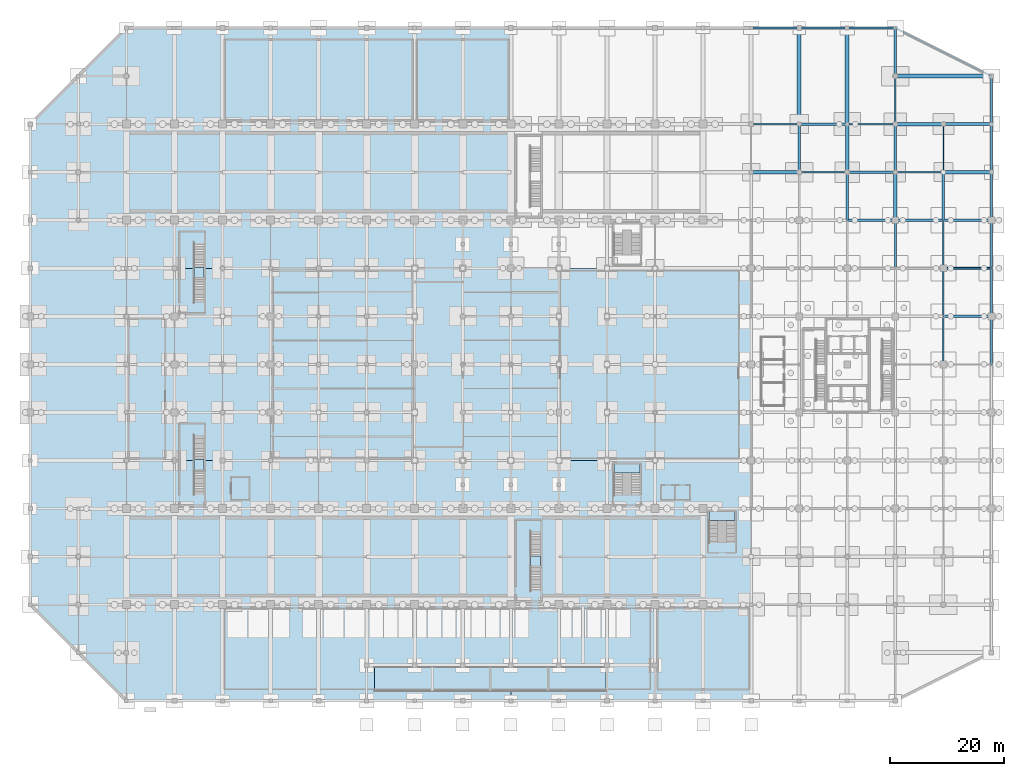
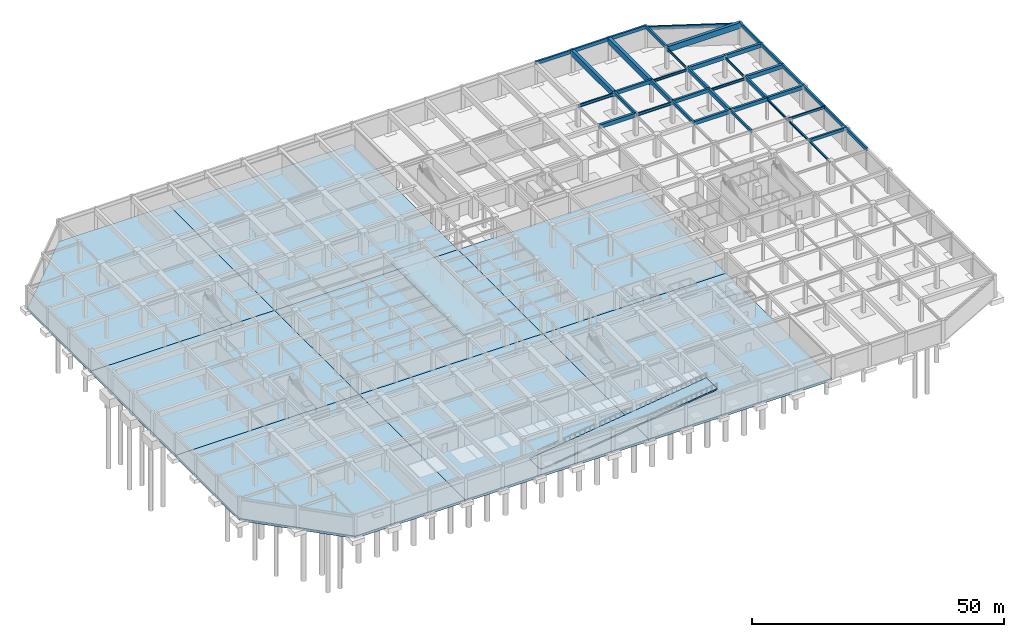
# One storey, part 16 of 26: 41 beams, 15 slabs, 5 elements without a shape of their own.
"""IFC4 building model written with IfcOpenShell, lengths in metres."""

from ifc_helpers import new_model, si_unit, direction, frame, origin, origin_2d, place, context, subcontext, project, spatial, polyline, rectangle, i_section, outline, extrude, material, layer, layer_set, material_profile, profile_set, type_object, element, aggregate, save


model = new_model("IFC4")

# Units and contexts
model_context = context("Model", 3, precision=1e-05, world=origin(), true_north=direction((0.0, 1.0)))
body_context = subcontext(model_context, "Body", "Model", "MODEL_VIEW")
ifc_project = project(units=[si_unit("LENGTHUNIT", "METRE"), si_unit("AREAUNIT", "SQUARE_METRE"), si_unit("VOLUMEUNIT", "CUBIC_METRE"), si_unit("PLANEANGLEUNIT", "RADIAN"), si_unit("MASSUNIT", "GRAM", prefix="KILO")], contexts=[model_context])

# Site, building, storey
site_placement = place(None, origin())
site = spatial("IfcSite", under=ifc_project, at=site_placement, CompositionType="ELEMENT")
building_placement = place(site_placement, origin())
building = spatial("IfcBuilding", under=site, at=building_placement, Name="Xuanlan Plaza Opera House", CompositionType="ELEMENT")
storey_placement = place(building_placement, frame((0.0, 0.0, -5.39990234375)))
storey = spatial("IfcBuildingStorey", under=building, at=storey_placement, Name="B01", CompositionType="ELEMENT", Elevation=-5.39990234375)

# Beams
ifc_material_1 = material(Name="Concrete C50", Category="concrete")
ifc_material_profile_1 = material_profile(ifc_material_1, rectangle(XDim=0.60009765625, YDim=0.949951171875, at=origin_2d()), Name="RC-BM 600x950")
ifc_profile_set_1 = profile_set([ifc_material_profile_1], Name="Concrete C50")
beam_type_1 = type_object("IfcBeamType", Name="STR-BM-B-01", PredefinedType="BEAM", material=ifc_profile_set_1)
beam_1_placement = place(storey_placement, frame((159.60009765625, 92.39990234375, 4.9248046875), z_axis=(1.0, 0.0, 0.0), x_axis=(0.0, 1.0, 0.0)))
element("IfcBeam", 1, at=beam_1_placement, inside=storey, type_object=beam_type_1, Name="Grid Beam X B01 20-21/L", PredefinedType="BEAM", context=body_context, shape_type="SweptSolid", body=[
    extrude(rectangle(XDim=0.60009765625, YDim=0.949951171875, at=origin_2d()), origin(), (0.0, 0.0, 1.0), 8.39990234375),
])
beam_2_placement = place(storey_placement, frame((151.199951171875, 100.800048828125, 4.9248046875), z_axis=(1.0, 0.0, 0.0), x_axis=(0.0, 1.0, 0.0)))
element("IfcBeam", 2, at=beam_2_placement, inside=storey, type_object=beam_type_1, Name="Grid Beam X B01 19-20/M", PredefinedType="BEAM", context=body_context, shape_type="SweptSolid", body=[
    extrude(rectangle(XDim=0.60009765625, YDim=0.949951171875, at=origin_2d()), origin(), (0.0, 0.0, 1.0), 8.400146484375),
])
ifc_material_profile_2 = material_profile(ifc_material_1, rectangle(XDim=0.550048828125, YDim=0.949951171875, at=origin_2d()), Name="RC-BM 550x950")
ifc_profile_set_2 = profile_set([ifc_material_profile_2], Name="Concrete C50")
beam_type_2 = type_object("IfcBeamType", Name="STR-BM-B-02", PredefinedType="BEAM", material=ifc_profile_set_2)
for number, where, z_axis, x_axis, name in (
    (3, (126.0, 92.39990234375, 4.9248046875), (1.0, 0.0, 0.0), (0.0, 1.0, 0.0), "Grid Beam X B01 16-17/L"),
    (4, (159.60009765625, 100.800048828125, 4.9248046875), (1.0, 0.0, 0.0), (0.0, 1.0, 0.0), "Grid Beam X B01 20-21/M"),
):
    element("IfcBeam", number, at=place(storey_placement, frame(where, z_axis=z_axis, x_axis=x_axis)), inside=storey, type_object=beam_type_2, Name=name, PredefinedType="BEAM", context=body_context, shape_type="SweptSolid", body=[
        extrude(rectangle(XDim=0.550048828125, YDim=0.949951171875, at=origin_2d()), origin(), (0.0, 0.0, 1.0), 8.39990234375),
    ])
beam_3_placement = place(storey_placement, frame((142.800048828125, 92.39990234375, 4.9248046875), z_axis=(0.0, 1.0, 0.0), x_axis=(-1.0, 0.0, 0.0)))
element("IfcBeam", 5, at=beam_3_placement, inside=storey, type_object=beam_type_2, Name="Grid Beam Y B01 18/L-M", PredefinedType="BEAM", context=body_context, shape_type="SweptSolid", body=[
    extrude(rectangle(XDim=0.550048828125, YDim=0.949951171875, at=origin_2d()), origin(), (0.0, 0.0, 1.0), 8.400146484375),
])
beam_4_placement = place(storey_placement, frame((151.199951171875, 84.0, 4.9248046875), z_axis=(0.0, 1.0, 0.0), x_axis=(-1.0, 0.0, 0.0)))
element("IfcBeam", 6, at=beam_4_placement, inside=storey, type_object=beam_type_2, Name="Grid Beam Y B01 19/K-L", PredefinedType="BEAM", context=body_context, shape_type="SweptSolid", body=[
    extrude(rectangle(XDim=0.550048828125, YDim=0.949951171875, at=origin_2d()), origin(), (0.0, 0.0, 1.0), 8.39990234375),
])
ifc_material_2 = material(Name="Concrete C40", Category="concrete")
ifc_material_profile_3 = material_profile(ifc_material_2, rectangle(XDim=0.5, YDim=0.89990234375, at=origin_2d()), Name="RC-BM 500x900")
ifc_profile_set_3 = profile_set([ifc_material_profile_3], Name="Concrete C40")
beam_type_3 = type_object("IfcBeamType", Name="STR-BM-B-03", PredefinedType="BEAM", material=ifc_profile_set_3)
beam_5_placement = place(storey_placement, frame((142.800048828125, 84.0, 4.949951171875), z_axis=(1.0, 0.0, 0.0), x_axis=(0.0, 1.0, 0.0)))
element("IfcBeam", 7, at=beam_5_placement, inside=storey, type_object=beam_type_3, Name="Grid Beam X B01 18-19/K", PredefinedType="BEAM", context=body_context, shape_type="SweptSolid", body=[
    extrude(rectangle(XDim=0.5, YDim=0.89990234375, at=origin_2d()), origin(), (0.0, 0.0, 1.0), 8.39990234375),
])
beam_6_placement = place(storey_placement, frame((151.199951171875, 84.0, 4.949951171875), z_axis=(1.0, 0.0, 0.0), x_axis=(0.0, 1.0, 0.0)))
element("IfcBeam", 8, at=beam_6_placement, inside=storey, type_object=beam_type_3, Name="Grid Beam X B01 19-20/K", PredefinedType="BEAM", context=body_context, shape_type="SweptSolid", body=[
    extrude(rectangle(XDim=0.5, YDim=0.89990234375, at=origin_2d()), origin(), (0.0, 0.0, 1.0), 8.400146484375),
])
beam_7_placement = place(storey_placement, frame((159.60009765625, 84.0, 4.949951171875), z_axis=(1.0, 0.0, 0.0), x_axis=(0.0, 1.0, 0.0)))
element("IfcBeam", 9, at=beam_7_placement, inside=storey, type_object=beam_type_3, Name="Grid Beam X B01 20-21/K", PredefinedType="BEAM", context=body_context, shape_type="SweptSolid", body=[
    extrude(rectangle(XDim=0.5, YDim=0.89990234375, at=origin_2d()), origin(), (0.0, 0.0, 1.0), 8.39990234375),
])
ifc_material_profile_4 = material_profile(ifc_material_2, rectangle(XDim=0.449951171875, YDim=0.85009765625, at=origin_2d()), Name="RC-BM 450x850")
ifc_profile_set_4 = profile_set([ifc_material_profile_4], Name="Concrete C40")
beam_type_4 = type_object("IfcBeamType", Name="STR-BM-B-04", PredefinedType="BEAM", material=ifc_profile_set_4)
beam_8_placement = place(storey_placement, frame((142.800048828125, 92.39990234375, 4.974853515625), z_axis=(1.0, 0.0, 0.0), x_axis=(0.0, 1.0, 0.0)))
element("IfcBeam", 10, at=beam_8_placement, inside=storey, type_object=beam_type_4, Name="Grid Beam X B01 18-19/L", PredefinedType="BEAM", context=body_context, shape_type="SweptSolid", body=[
    extrude(rectangle(XDim=0.449951171875, YDim=0.85009765625, at=origin_2d()), origin(), (0.0, 0.0, 1.0), 8.39990234375),
])
for number, where, z_axis, x_axis, name in (
    (11, (134.39990234375, 100.800048828125, 4.974853515625), (1.0, 0.0, 0.0), (0.0, 1.0, 0.0), "Grid Beam X B01 17-18/M"),
    (12, (151.199951171875, 92.39990234375, 4.974853515625), (0.0, 1.0, 0.0), (-1.0, 0.0, 0.0), "Grid Beam Y B01 19/L-M"),
):
    element("IfcBeam", number, at=place(storey_placement, frame(where, z_axis=z_axis, x_axis=x_axis)), inside=storey, type_object=beam_type_4, Name=name, PredefinedType="BEAM", context=body_context, shape_type="SweptSolid", body=[
        extrude(rectangle(XDim=0.449951171875, YDim=0.85009765625, at=origin_2d()), origin(), (0.0, 0.0, 1.0), 8.400146484375),
    ])
beam_9_placement = place(storey_placement, frame((159.60009765625, 84.0, 4.974853515625), z_axis=(0.0, 1.0, 0.0), x_axis=(-1.0, 0.0, 0.0)))
element("IfcBeam", 13, at=beam_9_placement, inside=storey, type_object=beam_type_4, Name="Grid Beam Y B01 20/K-L", PredefinedType="BEAM", context=body_context, shape_type="SweptSolid", body=[
    extrude(rectangle(XDim=0.449951171875, YDim=0.85009765625, at=origin_2d()), origin(), (0.0, 0.0, 1.0), 8.39990234375),
])
ifc_material_profile_5 = material_profile(ifc_material_2, rectangle(XDim=0.39990234375, YDim=0.75, at=origin_2d()), Name="RC-BM 400x750")
ifc_profile_set_5 = profile_set([ifc_material_profile_5], Name="Concrete C40")
beam_type_5 = type_object("IfcBeamType", Name="STR-BM-B-06", PredefinedType="BEAM", material=ifc_profile_set_5)
beam_10_placement = place(storey_placement, frame((134.39990234375, 92.39990234375, 5.02490234375), z_axis=(0.0, 1.0, 0.0), x_axis=(-1.0, 0.0, 0.0)))
element("IfcBeam", 14, at=beam_10_placement, inside=storey, type_object=beam_type_5, Name="Grid Beam Y B01 17/L-M", PredefinedType="BEAM", context=body_context, shape_type="SweptSolid", body=[
    extrude(rectangle(XDim=0.39990234375, YDim=0.75, at=origin_2d()), origin(), (0.0, 0.0, 1.0), 8.400146484375),
])
beam_11_placement = place(storey_placement, frame((142.800048828125, 84.0, 5.02490234375), z_axis=(0.0, 1.0, 0.0), x_axis=(-1.0, 0.0, 0.0)))
element("IfcBeam", 15, at=beam_11_placement, inside=storey, type_object=beam_type_5, Name="Grid Beam Y B01 18/K-L", PredefinedType="BEAM", context=body_context, shape_type="SweptSolid", body=[
    extrude(rectangle(XDim=0.39990234375, YDim=0.75, at=origin_2d()), origin(), (0.0, 0.0, 1.0), 8.39990234375),
])
beam_12_placement = place(storey_placement, frame((151.199951171875, 109.199951171875, 5.02490234375), z_axis=(0.0, 1.0, 0.0), x_axis=(-1.0, 0.0, 0.0)))
element("IfcBeam", 16, at=beam_12_placement, inside=storey, type_object=beam_type_5, Name="Grid Beam Y B01 19/N-O", PredefinedType="BEAM", context=body_context, shape_type="SweptSolid", body=[
    extrude(rectangle(XDim=0.39990234375, YDim=0.75, at=origin_2d()), origin(), (0.0, 0.0, 1.0), 8.400146484375),
])
ifc_material_profile_6 = material_profile(ifc_material_2, rectangle(XDim=0.39990234375, YDim=0.699951171875, at=origin_2d()), Name="RC-BM 400x700")
ifc_profile_set_6 = profile_set([ifc_material_profile_6], Name="Concrete C40")
beam_type_6 = type_object("IfcBeamType", Name="STR-BM-B-07", PredefinedType="BEAM", material=ifc_profile_set_6)
beam_13_placement = place(storey_placement, frame((159.60009765625, 67.199951171875, 5.0498046875), z_axis=(1.0, 0.0, 0.0), x_axis=(0.0, 1.0, 0.0)))
element("IfcBeam", 17, at=beam_13_placement, inside=storey, type_object=beam_type_6, Name="Grid Beam X B01 20-21/I", PredefinedType="BEAM", context=body_context, shape_type="SweptSolid", body=[
    extrude(rectangle(XDim=0.39990234375, YDim=0.699951171875, at=origin_2d()), origin(), (0.0, 0.0, 1.0), 8.39990234375),
])
ifc_material_profile_7 = material_profile(ifc_material_2, rectangle(XDim=0.35009765625, YDim=0.64990234375, at=origin_2d()), Name="RC-BM 350x650")
ifc_profile_set_7 = profile_set([ifc_material_profile_7], Name="Concrete C40")
beam_type_7 = type_object("IfcBeamType", Name="STR-BM-B-08", PredefinedType="BEAM", material=ifc_profile_set_7)
beam_14_placement = place(storey_placement, frame((151.199951171875, 75.60009765625, 5.074951171875), z_axis=(0.0, 1.0, 0.0), x_axis=(-1.0, 0.0, 0.0)))
element("IfcBeam", 18, at=beam_14_placement, inside=storey, type_object=beam_type_7, Name="Grid Beam Y B01 19/J-K", PredefinedType="BEAM", context=body_context, shape_type="SweptSolid", body=[
    extrude(rectangle(XDim=0.35009765625, YDim=0.64990234375, at=origin_2d()), origin(), (0.0, 0.0, 1.0), 8.39990234375),
])
ifc_material_profile_8 = material_profile(ifc_material_2, rectangle(XDim=0.300048828125, YDim=0.550048828125, at=origin_2d()), Name="RC-BM 300x550")
ifc_profile_set_8 = profile_set([ifc_material_profile_8], Name="Concrete C40")
beam_type_8 = type_object("IfcBeamType", Name="STR-BM-B-09", PredefinedType="BEAM", material=ifc_profile_set_8)
beam_15_placement = place(storey_placement, frame((159.60009765625, 75.60009765625, 5.125), z_axis=(1.0, 0.0, 0.0), x_axis=(0.0, 1.0, 0.0)))
element("IfcBeam", 19, at=beam_15_placement, inside=storey, type_object=beam_type_8, Name="Grid Beam X B01 20-21/J", PredefinedType="BEAM", context=body_context, shape_type="SweptSolid", body=[
    extrude(rectangle(XDim=0.300048828125, YDim=0.550048828125, at=origin_2d()), origin(), (0.0, 0.0, 1.0), 8.39990234375),
])
ifc_material_profile_9 = material_profile(ifc_material_1, rectangle(XDim=0.699951171875, YDim=1.39990234375, at=origin_2d()), Name="RC-LG 700x1400")
ifc_profile_set_9 = profile_set([ifc_material_profile_9], Name="Concrete C50")
beam_type_9 = type_object("IfcBeamType", Name="STR-BM-LG-01", PredefinedType="BEAM", material=ifc_profile_set_9)
for number, where, z_axis, x_axis, name in (
    (20, (151.199951171875, 109.199951171875, 4.699951171875), (1.0, 0.0, 0.0), (0.0, 1.0, 0.0), "Grid Beam X B01 19-21/N"),
    (21, (134.39990234375, 100.800048828125, 4.699951171875), (0.0, 1.0, 0.0), (-1.0, 0.0, 0.0), "Grid Beam Y B01 17/M-O"),
    (22, (142.800048828125, 100.800048828125, 4.699951171875), (0.0, 1.0, 0.0), (-1.0, 0.0, 0.0), "Grid Beam Y B01 18/M-O"),
):
    element("IfcBeam", number, at=place(storey_placement, frame(where, z_axis=z_axis, x_axis=x_axis)), inside=storey, type_object=beam_type_9, Name=name, PredefinedType="BEAM", context=body_context, shape_type="SweptSolid", body=[
        extrude(rectangle(XDim=0.699951171875, YDim=1.39990234375, at=origin_2d()), origin(), (0.0, 0.0, 1.0), 16.800048828125),
    ])
ifc_material_3 = material(Name="Steel Q355B", Category="steel")
ifc_material_profile_10 = material_profile(ifc_material_3, i_section(OverallWidth=0.300048828125, OverallDepth=0.699951171875, WebThickness=0.012939453125, FlangeThickness=0.02392578125, FilletRadius=0.02392578125, at=origin_2d()), Name="HN 700x300x13x24")
ifc_profile_set_10 = profile_set([ifc_material_profile_10], Name="Steel Q355B")
beam_type_10 = type_object("IfcBeamType", Name="STR-BM-SB-03", PredefinedType="BEAM", material=ifc_profile_set_10)
beam_16_placement = place(storey_placement, frame((134.39990234375, 92.39990234375, 4.744873046875), z_axis=(1.0, 0.0, 0.0), x_axis=(0.0, 1.0, 0.0)))
element("IfcBeam", 23, at=beam_16_placement, inside=storey, type_object=beam_type_10, Name="Grid Beam X B01 17-18/L", PredefinedType="BEAM", context=body_context, shape_type="SweptSolid", body=[
    extrude(i_section(OverallWidth=0.300048828125, OverallDepth=0.699951171875, WebThickness=0.012939453125, FlangeThickness=0.02392578125, FilletRadius=0.02392578125, at=origin_2d()), origin(), (0.0, 0.0, 1.0), 8.400146484375),
])
beam_17_placement = place(storey_placement, frame((126.0, 100.800048828125, 4.744873046875), z_axis=(1.0, 0.0, 0.0), x_axis=(0.0, 1.0, 0.0)))
element("IfcBeam", 24, at=beam_17_placement, inside=storey, type_object=beam_type_10, Name="Grid Beam X B01 16-17/M", PredefinedType="BEAM", context=body_context, shape_type="SweptSolid", body=[
    extrude(i_section(OverallWidth=0.300048828125, OverallDepth=0.699951171875, WebThickness=0.012939453125, FlangeThickness=0.02392578125, FilletRadius=0.02392578125, at=origin_2d()), origin(), (0.0, 0.0, 1.0), 8.39990234375),
])
ifc_material_profile_11 = material_profile(ifc_material_3, i_section(OverallWidth=0.199951171875, OverallDepth=0.60009765625, WebThickness=0.010986328125, FlangeThickness=0.01708984375, FilletRadius=0.02197265625, at=origin_2d()), Name="HN 600x200x11x17")
ifc_profile_set_11 = profile_set([ifc_material_profile_11], Name="Steel Q355B")
beam_type_11 = type_object("IfcBeamType", Name="STR-BM-SB-04", PredefinedType="BEAM", material=ifc_profile_set_11)
beam_18_placement = place(storey_placement, frame((151.199951171875, 100.800048828125, 4.794921875), z_axis=(0.0, 1.0, 0.0), x_axis=(-1.0, 0.0, 0.0)))
element("IfcBeam", 25, at=beam_18_placement, inside=storey, type_object=beam_type_11, Name="Grid Beam Y B01 19/M-N", PredefinedType="BEAM", context=body_context, shape_type="SweptSolid", body=[
    extrude(i_section(OverallWidth=0.199951171875, OverallDepth=0.60009765625, WebThickness=0.010986328125, FlangeThickness=0.01708984375, FilletRadius=0.02197265625, at=origin_2d()), origin(), (0.0, 0.0, 1.0), 8.39990234375),
])
beam_19_placement = place(storey_placement, frame((159.60009765625, 92.39990234375, 4.794921875), z_axis=(0.0, 1.0, 0.0), x_axis=(-1.0, 0.0, 0.0)))
element("IfcBeam", 26, at=beam_19_placement, inside=storey, type_object=beam_type_11, Name="Grid Beam Y B01 20/L-M", PredefinedType="BEAM", context=body_context, shape_type="SweptSolid", body=[
    extrude(i_section(OverallWidth=0.199951171875, OverallDepth=0.60009765625, WebThickness=0.010986328125, FlangeThickness=0.01708984375, FilletRadius=0.02197265625, at=origin_2d()), origin(), (0.0, 0.0, 1.0), 8.400146484375),
])
ifc_material_profile_12 = material_profile(ifc_material_3, i_section(OverallWidth=0.300048828125, OverallDepth=0.587890625, WebThickness=0.011962890625, FlangeThickness=0.02001953125, FilletRadius=0.02392578125, at=origin_2d()), Name="HM 588x300x12x20")
ifc_profile_set_12 = profile_set([ifc_material_profile_12], Name="Steel Q355B")
beam_type_12 = type_object("IfcBeamType", Name="STR-BM-SB-06", PredefinedType="BEAM", material=ifc_profile_set_12)
beam_20_placement = place(storey_placement, frame((151.199951171875, 92.39990234375, 4.80078125), z_axis=(1.0, 0.0, 0.0), x_axis=(0.0, 1.0, 0.0)))
element("IfcBeam", 27, at=beam_20_placement, inside=storey, type_object=beam_type_12, Name="Grid Beam X B01 19-20/L", PredefinedType="BEAM", context=body_context, shape_type="SweptSolid", body=[
    extrude(i_section(OverallWidth=0.300048828125, OverallDepth=0.587890625, WebThickness=0.011962890625, FlangeThickness=0.02001953125, FilletRadius=0.02392578125, at=origin_2d()), origin(), (0.0, 0.0, 1.0), 8.400146484375),
])
beam_21_placement = place(storey_placement, frame((142.800048828125, 100.800048828125, 4.80078125), z_axis=(1.0, 0.0, 0.0), x_axis=(0.0, 1.0, 0.0)))
element("IfcBeam", 28, at=beam_21_placement, inside=storey, type_object=beam_type_12, Name="Grid Beam X B01 18-19/M", PredefinedType="BEAM", context=body_context, shape_type="SweptSolid", body=[
    extrude(i_section(OverallWidth=0.300048828125, OverallDepth=0.587890625, WebThickness=0.011962890625, FlangeThickness=0.02001953125, FilletRadius=0.02392578125, at=origin_2d()), origin(), (0.0, 0.0, 1.0), 8.39990234375),
])
ifc_material_profile_13 = material_profile(ifc_material_3, i_section(OverallWidth=0.300048828125, OverallDepth=0.43994140625, WebThickness=0.010986328125, FlangeThickness=0.01806640625, FilletRadius=0.02001953125, at=origin_2d()), Name="HM 440x300x11x18")
ifc_profile_set_13 = profile_set([ifc_material_profile_13], Name="Steel Q355B")
beam_type_13 = type_object("IfcBeamType", Name="STR-BM-SB-08", PredefinedType="BEAM", material=ifc_profile_set_13)
beam_22_placement = place(storey_placement, frame((159.60009765625, 58.800048828125, 4.875), z_axis=(0.0, 1.0, 0.0), x_axis=(-1.0, 0.0, 0.0)))
element("IfcBeam", 29, at=beam_22_placement, inside=storey, type_object=beam_type_13, Name="Grid Beam Y B01 20/H-I", PredefinedType="BEAM", context=body_context, shape_type="SweptSolid", body=[
    extrude(i_section(OverallWidth=0.300048828125, OverallDepth=0.43994140625, WebThickness=0.010986328125, FlangeThickness=0.01806640625, FilletRadius=0.02001953125, at=origin_2d()), origin(), (0.0, 0.0, 1.0), 8.39990234375),
])
beam_23_placement = place(storey_placement, frame((159.60009765625, 67.199951171875, 4.875), z_axis=(0.0, 1.0, 0.0), x_axis=(-1.0, 0.0, 0.0)))
element("IfcBeam", 30, at=beam_23_placement, inside=storey, type_object=beam_type_13, Name="Grid Beam Y B01 20/I-J", PredefinedType="BEAM", context=body_context, shape_type="SweptSolid", body=[
    extrude(i_section(OverallWidth=0.300048828125, OverallDepth=0.43994140625, WebThickness=0.010986328125, FlangeThickness=0.01806640625, FilletRadius=0.02001953125, at=origin_2d()), origin(), (0.0, 0.0, 1.0), 8.400146484375),
])
beam_24_placement = place(storey_placement, frame((159.60009765625, 75.60009765625, 4.875), z_axis=(0.0, 1.0, 0.0), x_axis=(-1.0, 0.0, 0.0)))
element("IfcBeam", 31, at=beam_24_placement, inside=storey, type_object=beam_type_13, Name="Grid Beam Y B01 20/J-K", PredefinedType="BEAM", context=body_context, shape_type="SweptSolid", body=[
    extrude(i_section(OverallWidth=0.300048828125, OverallDepth=0.43994140625, WebThickness=0.010986328125, FlangeThickness=0.01806640625, FilletRadius=0.02001953125, at=origin_2d()), origin(), (0.0, 0.0, 1.0), 8.39990234375),
])
ifc_material_profile_14 = material_profile(ifc_material_2, rectangle(XDim=0.39990234375, YDim=0.800048828125, at=origin_2d()), Name="RC-SPD 400x800")
ifc_profile_set_14 = profile_set([ifc_material_profile_14], Name="Concrete C40")
beam_type_14 = type_object("IfcBeamType", Name="STR-BM-SP-01", PredefinedType="SPANDREL", material=ifc_profile_set_14)
beam_25_placement = place(storey_placement, frame((126.0, 117.60009765625, 5.0), z_axis=(1.0, 0.0, 0.0), x_axis=(0.0, 1.0, 0.0)))
element("IfcBeam", 32, at=beam_25_placement, inside=storey, type_object=beam_type_14, Name="Grid Beam X B01 16-17/O", PredefinedType="SPANDREL", context=body_context, shape_type="SweptSolid", body=[
    extrude(rectangle(XDim=0.39990234375, YDim=0.800048828125, at=origin_2d()), origin(), (0.0, 0.0, 1.0), 8.39990234375),
])
beam_26_placement = place(storey_placement, frame((134.39990234375, 117.60009765625, 5.0), z_axis=(1.0, 0.0, 0.0), x_axis=(0.0, 1.0, 0.0)))
element("IfcBeam", 33, at=beam_26_placement, inside=storey, type_object=beam_type_14, Name="Grid Beam X B01 17-18/O", PredefinedType="SPANDREL", context=body_context, shape_type="SweptSolid", body=[
    extrude(rectangle(XDim=0.39990234375, YDim=0.800048828125, at=origin_2d()), origin(), (0.0, 0.0, 1.0), 8.400146484375),
])
for number, where, z_axis, x_axis, name in (
    (34, (142.800048828125, 117.60009765625, 5.0), (1.0, 0.0, 0.0), (0.0, 1.0, 0.0), "Grid Beam X B01 18-19/O"),
    (35, (168.0, 58.800048828125, 5.0), (0.0, 1.0, 0.0), (-1.0, 0.0, 0.0), "Grid Beam Y B01 21/H-I"),
):
    element("IfcBeam", number, at=place(storey_placement, frame(where, z_axis=z_axis, x_axis=x_axis)), inside=storey, type_object=beam_type_14, Name=name, PredefinedType="SPANDREL", context=body_context, shape_type="SweptSolid", body=[
        extrude(rectangle(XDim=0.39990234375, YDim=0.800048828125, at=origin_2d()), origin(), (0.0, 0.0, 1.0), 8.39990234375),
    ])
beam_27_placement = place(storey_placement, frame((168.0, 67.199951171875, 5.0), z_axis=(0.0, 1.0, 0.0), x_axis=(-1.0, 0.0, 0.0)))
element("IfcBeam", 36, at=beam_27_placement, inside=storey, type_object=beam_type_14, Name="Grid Beam Y B01 21/I-J", PredefinedType="SPANDREL", context=body_context, shape_type="SweptSolid", body=[
    extrude(rectangle(XDim=0.39990234375, YDim=0.800048828125, at=origin_2d()), origin(), (0.0, 0.0, 1.0), 8.400146484375),
])
for number, where, z_axis, x_axis, name in (
    (37, (168.0, 75.60009765625, 5.0), (0.0, 1.0, 0.0), (-1.0, 0.0, 0.0), "Grid Beam Y B01 21/J-K"),
    (38, (168.0, 84.0, 5.0), (0.0, 1.0, 0.0), (-1.0, 0.0, 0.0), "Grid Beam Y B01 21/K-L"),
):
    element("IfcBeam", number, at=place(storey_placement, frame(where, z_axis=z_axis, x_axis=x_axis)), inside=storey, type_object=beam_type_14, Name=name, PredefinedType="SPANDREL", context=body_context, shape_type="SweptSolid", body=[
        extrude(rectangle(XDim=0.39990234375, YDim=0.800048828125, at=origin_2d()), origin(), (0.0, 0.0, 1.0), 8.39990234375),
    ])
beam_28_placement = place(storey_placement, frame((168.0, 92.39990234375, 5.0), z_axis=(0.0, 1.0, 0.0), x_axis=(-1.0, 0.0, 0.0)))
element("IfcBeam", 39, at=beam_28_placement, inside=storey, type_object=beam_type_14, Name="Grid Beam Y B01 21/L-M", PredefinedType="SPANDREL", context=body_context, shape_type="SweptSolid", body=[
    extrude(rectangle(XDim=0.39990234375, YDim=0.800048828125, at=origin_2d()), origin(), (0.0, 0.0, 1.0), 8.400146484375),
])
beam_29_placement = place(storey_placement, frame((168.0, 100.800048828125, 5.0), z_axis=(0.0, 1.0, 0.0), x_axis=(-1.0, 0.0, 0.0)))
element("IfcBeam", 40, at=beam_29_placement, inside=storey, type_object=beam_type_14, Name="Grid Beam Y B01 21/M-N", PredefinedType="SPANDREL", context=body_context, shape_type="SweptSolid", body=[
    extrude(rectangle(XDim=0.39990234375, YDim=0.800048828125, at=origin_2d()), origin(), (0.0, 0.0, 1.0), 8.39990234375),
])
ifc_material_4 = material(Name="Steel Q390B", Category="steel")
ifc_material_profile_15 = material_profile(ifc_material_4, i_section(OverallWidth=0.300048828125, OverallDepth=0.89990234375, WebThickness=0.01611328125, FlangeThickness=0.028076171875, FilletRadius=0.028076171875, at=origin_2d()), Name="HN 900x300x16x28")
ifc_profile_set_15 = profile_set([ifc_material_profile_15], Name="Steel Q390B")
beam_type_15 = type_object("IfcBeamType", Name="STR-BM-SP-04", PredefinedType="SPANDREL", material=ifc_profile_set_15)
beam_30_placement = place(storey_placement, frame((151.199951171875, 117.60009765625, 4.64501953125), z_axis=(0.894424591405, -0.447218794653, 0.0), x_axis=(0.447218794653, 0.894424591405, 0.0)))
element("IfcBeam", 41, at=beam_30_placement, inside=storey, type_object=beam_type_15, Name="Faceted Edge Spandrel B01 CH13", PredefinedType="SPANDREL", context=body_context, shape_type="SweptSolid", body=[
    extrude(i_section(OverallWidth=0.300048828125, OverallDepth=0.89990234375, WebThickness=0.01611328125, FlangeThickness=0.028076171875, FilletRadius=0.028076171875, at=origin_2d()), origin(), (0.0, 0.0, 1.0), 18.782958984375),
])

# Stair, slab
stair_type_1 = type_object("IfcStairType", Name="INT-ST-STR-F130", PredefinedType="HALF_TURN_STAIR", material=ifc_material_2)
stair_1_placement = place(storey_placement, origin())
stair_1 = element("IfcStair", 42, at=stair_1_placement, inside=storey, type_object=stair_type_1, Name="Grand Foyer Feature Stair ST-F1 B01", PredefinedType="HALF_TURN_STAIR")
ifc_layer_1 = layer(ifc_material_2, 0.18994140625)
ifc_layer_set_1 = layer_set([ifc_layer_1], Name="Concrete C40")
slab_type_1 = type_object("IfcSlabType", Name="INT-SLB-LND-19", PredefinedType="LANDING", material=ifc_layer_set_1)
slab_1_placement = place(storey_placement, frame((0.0, 0.0, 2.510009765625)))
slab_1 = element("IfcSlab", 43, at=slab_1_placement, type_object=slab_type_1, Name="ST-F1-B01 landing 1", PredefinedType="LANDING", context=body_context, shape_type="SweptSolid", body=[
    extrude(outline(polyline([(102.0, 39.77490234375), (106.60009765625, 39.77490234375), (106.60009765625, 41.3798828125), (102.0, 41.3798828125), (102.0, 39.77490234375)])), origin(), (0.0, 0.0, 1.0), 0.18994140625),
])
aggregate(stair_1, [slab_1])

stair_type_2 = type_object("IfcStairType", Name="INT-ST-STR-F135", PredefinedType="HALF_TURN_STAIR", material=ifc_material_2)
stair_2_placement = place(storey_placement, origin())
stair_2 = element("IfcStair", 44, at=stair_2_placement, inside=storey, type_object=stair_type_2, Name="Grand Foyer Feature Stair ST-F3 B01", PredefinedType="HALF_TURN_STAIR")
slab_2_placement = place(storey_placement, frame((0.0, 0.0, 2.510009765625)))
slab_2 = element("IfcSlab", 45, at=slab_2_placement, type_object=slab_type_1, Name="ST-F3-B01 landing 1", PredefinedType="LANDING", context=body_context, shape_type="SweptSolid", body=[
    extrude(outline(polyline([(118.60009765625, 31.47509765625), (123.199951171875, 31.47509765625), (123.199951171875, 33.080078125), (118.60009765625, 33.080078125), (118.60009765625, 31.47509765625)])), origin(), (0.0, 0.0, 1.0), 0.18994140625),
])
aggregate(stair_2, [slab_2])

stair_type_3 = type_object("IfcStairType", Name="INT-ST-STR-P180", PredefinedType="STRAIGHT_RUN_STAIR", material=ifc_material_2)
stair_3_placement = place(storey_placement, origin())
stair_3 = element("IfcStair", 46, at=stair_3_placement, inside=storey, type_object=stair_type_3, Name="Protected Exit Stair ST-P1 B01", PredefinedType="STRAIGHT_RUN_STAIR")
ifc_layer_2 = layer(ifc_material_2, 0.199951171875)
ifc_layer_set_2 = layer_set([ifc_layer_2], Name="Concrete C40")
slab_type_2 = type_object("IfcSlabType", Name="INT-SLB-LND-20", PredefinedType="LANDING", material=ifc_layer_set_2)
slab_3_placement = place(storey_placement, frame((0.0, 0.0, 2.5)))
slab_3 = element("IfcSlab", 47, at=slab_3_placement, type_object=slab_type_2, Name="ST-P1-B01 landing 1", PredefinedType="LANDING", context=body_context, shape_type="SweptSolid", body=[
    extrude(outline(polyline([(28.60009765625, 40.25), (30.39990234375, 40.25), (30.39990234375, 42.14990234375), (28.60009765625, 42.14990234375), (28.60009765625, 40.25)])), origin(), (0.0, 0.0, 1.0), 0.199951171875),
])
aggregate(stair_3, [slab_3])

stair_4_placement = place(storey_placement, origin())
stair_4 = element("IfcStair", 48, at=stair_4_placement, inside=storey, type_object=stair_type_3, Name="Protected Exit Stair ST-P2 B01", PredefinedType="STRAIGHT_RUN_STAIR")
slab_4_placement = place(storey_placement, frame((0.0, 0.0, 2.5)))
slab_4 = element("IfcSlab", 49, at=slab_4_placement, type_object=slab_type_2, Name="ST-P2-B01 landing 1", PredefinedType="LANDING", context=body_context, shape_type="SweptSolid", body=[
    extrude(outline(polyline([(28.60009765625, 73.85009765625), (30.39990234375, 73.85009765625), (30.39990234375, 75.75), (28.60009765625, 75.75), (28.60009765625, 73.85009765625)])), origin(), (0.0, 0.0, 1.0), 0.199951171875),
])
aggregate(stair_4, [slab_4])

stair_5_placement = place(storey_placement, origin())
stair_5 = element("IfcStair", 50, at=stair_5_placement, inside=storey, type_object=stair_type_3, Name="Protected Exit Stair ST-P3 B01", PredefinedType="STRAIGHT_RUN_STAIR")
slab_5_placement = place(storey_placement, frame((0.0, 0.0, 2.5)))
slab_5 = element("IfcSlab", 51, at=slab_5_placement, type_object=slab_type_2, Name="ST-P3-B01 landing 1", PredefinedType="LANDING", context=body_context, shape_type="SweptSolid", body=[
    extrude(outline(polyline([(87.39990234375, 23.449951171875), (89.199951171875, 23.449951171875), (89.199951171875, 25.35009765625), (87.39990234375, 25.35009765625), (87.39990234375, 23.449951171875)])), origin(), (0.0, 0.0, 1.0), 0.199951171875),
])
aggregate(stair_5, [slab_5])

# Slabs
ifc_layer_3 = layer(ifc_material_2, 0.60009765625)
ifc_layer_set_3 = layer_set([ifc_layer_3], Name="Concrete C40")
slab_type_3 = type_object("IfcSlabType", Name="STR-SLB-BS-01", PredefinedType="BASESLAB", material=ifc_layer_set_3)
slab_6_placement = place(storey_placement, frame((0.0, 0.0, -0.60009765625)))
element("IfcSlab", 52, at=slab_6_placement, inside=storey, type_object=slab_type_3, Name="Basement B01 Structural Base Slab Zone 01", PredefinedType="BASESLAB", context=body_context, shape_type="SweptSolid", body=[
    extrude(outline(polyline([(16.800048828125, 0.0), (0.0, 16.800048828125), (0.0, 42.0), (42.0, 42.0), (42.0, 0.0), (16.800048828125, 0.0)])), origin(), (0.0, 0.0, 1.0), 0.60009765625),
])
slab_7_placement = place(storey_placement, frame((0.0, 0.0, -0.60009765625)))
element("IfcSlab", 53, at=slab_7_placement, inside=storey, type_object=slab_type_3, Name="Basement B01 Structural Base Slab Zone 02", PredefinedType="BASESLAB", context=body_context, shape_type="SweptSolid", body=[
    extrude(outline(polyline([(0.0, 75.60009765625), (42.0, 75.60009765625), (42.0, 42.0), (0.0, 42.0), (0.0, 75.60009765625)])), origin(), (0.0, 0.0, 1.0), 0.60009765625),
])
slab_8_placement = place(storey_placement, frame((0.0, 0.0, -0.60009765625)))
element("IfcSlab", 54, at=slab_8_placement, inside=storey, type_object=slab_type_3, Name="Basement B01 Structural Base Slab Zone 03", PredefinedType="BASESLAB", context=body_context, shape_type="SweptSolid", body=[
    extrude(outline(polyline([(0.0, 100.800048828125), (16.800048828125, 117.60009765625), (42.0, 117.60009765625), (42.0, 75.60009765625), (0.0, 75.60009765625), (0.0, 100.800048828125)])), origin(), (0.0, 0.0, 1.0), 0.60009765625),
])
slab_9_placement = place(storey_placement, frame((0.0, 0.0, -0.60009765625)))
element("IfcSlab", 55, at=slab_9_placement, inside=storey, type_object=slab_type_3, Name="Basement B01 Structural Base Slab Zone 04", PredefinedType="BASESLAB", context=body_context, shape_type="SweptSolid", body=[
    extrude(outline(polyline([(42.0, 0.0), (42.0, 42.0), (84.0, 42.0), (84.0, 0.0), (42.0, 0.0)])), origin(), (0.0, 0.0, 1.0), 0.60009765625),
])
slab_10_placement = place(storey_placement, frame((0.0, 0.0, -0.60009765625)))
element("IfcSlab", 56, at=slab_10_placement, inside=storey, type_object=slab_type_3, Name="Basement B01 Structural Base Slab Zone 05", PredefinedType="BASESLAB", context=body_context, shape_type="SweptSolid", body=[
    extrude(outline(polyline([(42.0, 42.0), (42.0, 75.60009765625), (84.0, 75.60009765625), (84.0, 42.0), (42.0, 42.0)])), origin(), (0.0, 0.0, 1.0), 0.60009765625),
])
slab_11_placement = place(storey_placement, frame((0.0, 0.0, -0.60009765625)))
element("IfcSlab", 57, at=slab_11_placement, inside=storey, type_object=slab_type_3, Name="Basement B01 Structural Base Slab Zone 06", PredefinedType="BASESLAB", context=body_context, shape_type="SweptSolid", body=[
    extrude(outline(polyline([(84.0, 117.60009765625), (84.0, 75.60009765625), (42.0, 75.60009765625), (42.0, 117.60009765625), (84.0, 117.60009765625)])), origin(), (0.0, 0.0, 1.0), 0.60009765625),
])
slab_12_placement = place(storey_placement, frame((0.0, 0.0, -0.60009765625)))
element("IfcSlab", 58, at=slab_12_placement, inside=storey, type_object=slab_type_3, Name="Basement B01 Structural Base Slab Zone 07", PredefinedType="BASESLAB", context=body_context, shape_type="SweptSolid", body=[
    extrude(outline(polyline([(84.0, 0.0), (84.0, 42.0), (126.0, 42.0), (126.0, 0.0), (84.0, 0.0)])), origin(), (0.0, 0.0, 1.0), 0.60009765625),
])
slab_13_placement = place(storey_placement, frame((0.0, 0.0, -0.60009765625)))
element("IfcSlab", 59, at=slab_13_placement, inside=storey, type_object=slab_type_3, Name="Basement B01 Structural Base Slab Zone 08", PredefinedType="BASESLAB", context=body_context, shape_type="SweptSolid", body=[
    extrude(outline(polyline([(84.0, 42.0), (84.0, 75.60009765625), (126.0, 75.60009765625), (126.0, 42.0), (84.0, 42.0)])), origin(), (0.0, 0.0, 1.0), 0.60009765625),
])
ifc_layer_4 = layer(ifc_material_2, 0.300048828125)
ifc_layer_set_4 = layer_set([ifc_layer_4], Name="Concrete C40")
slab_type_4 = type_object("IfcSlabType", Name="STR-SLB-RMP-02", PredefinedType="FLOOR", material=ifc_layer_set_4)
slab_14_placement = place(storey_placement, frame((60.14990234375, 1.64990234375, 0.0), z_axis=(-0.132161371725, 0.0, 0.991228213795), x_axis=(0.991228213795, 0.0, 0.132161371725)))
element("IfcSlab", 60, at=slab_14_placement, inside=storey, type_object=slab_type_4, Name="Vehicle Parking Ramp Slab", PredefinedType="FLOOR", context=body_context, shape_type="SweptSolid", body=[
    extrude(outline(polyline([(0.0, 0.0), (40.85840116, 0.0), (40.85840116, 4.300048828), (0.0, 4.300048828), (0.0, 0.0)])), origin(), (0.0, 0.0, -1.0), 0.300048828125),
])
ifc_layer_5 = layer(ifc_material_2, 0.280029296875)
ifc_layer_set_5 = layer_set([ifc_layer_5], Name="Concrete C40")
slab_type_5 = type_object("IfcSlabType", Name="STR-SLB-SL-04", PredefinedType="FLOOR", material=ifc_layer_set_5)
slab_15_placement = place(storey_placement, frame((0.0, 0.0, 3.919921875)))
element("IfcSlab", 61, at=slab_15_placement, inside=storey, type_object=slab_type_5, Name="Orchestra Pit Structural Slab", PredefinedType="FLOOR", context=body_context, shape_type="SweptSolid", body=[
    extrude(outline(polyline([(67.199951171875, 44.39990234375), (75.60009765625, 44.39990234375), (75.60009765625, 73.199951171875), (67.199951171875, 73.199951171875), (67.199951171875, 44.39990234375)])), origin(), (0.0, 0.0, 1.0), 0.280029296875),
])

save(model, "model.ifc")
